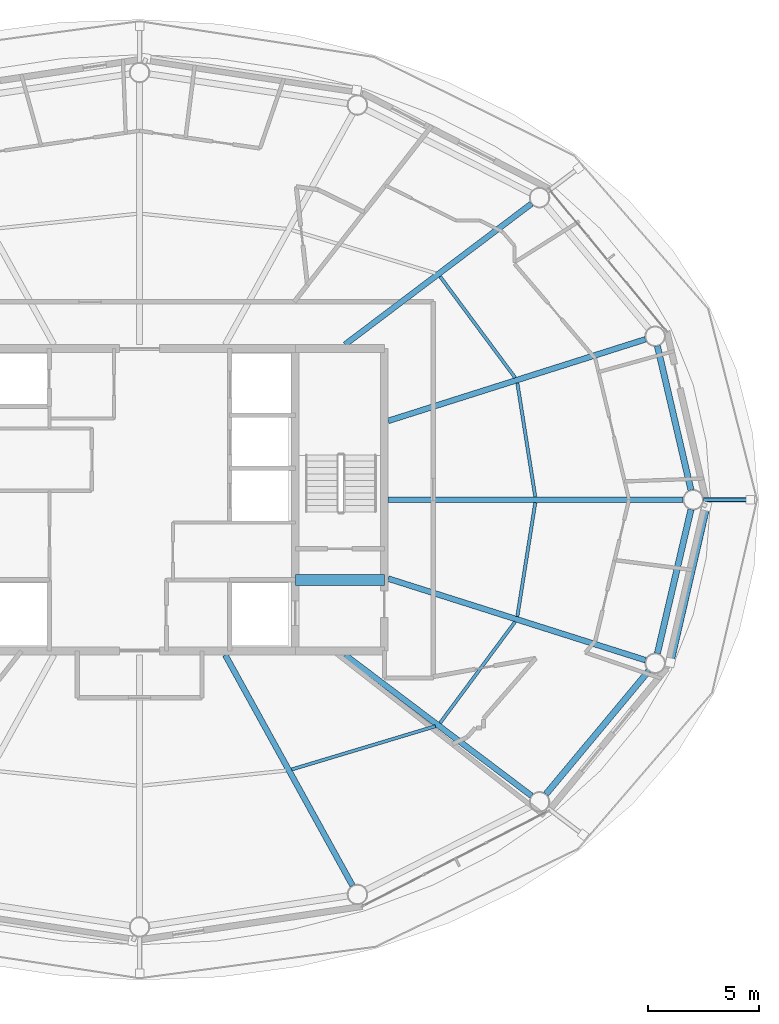
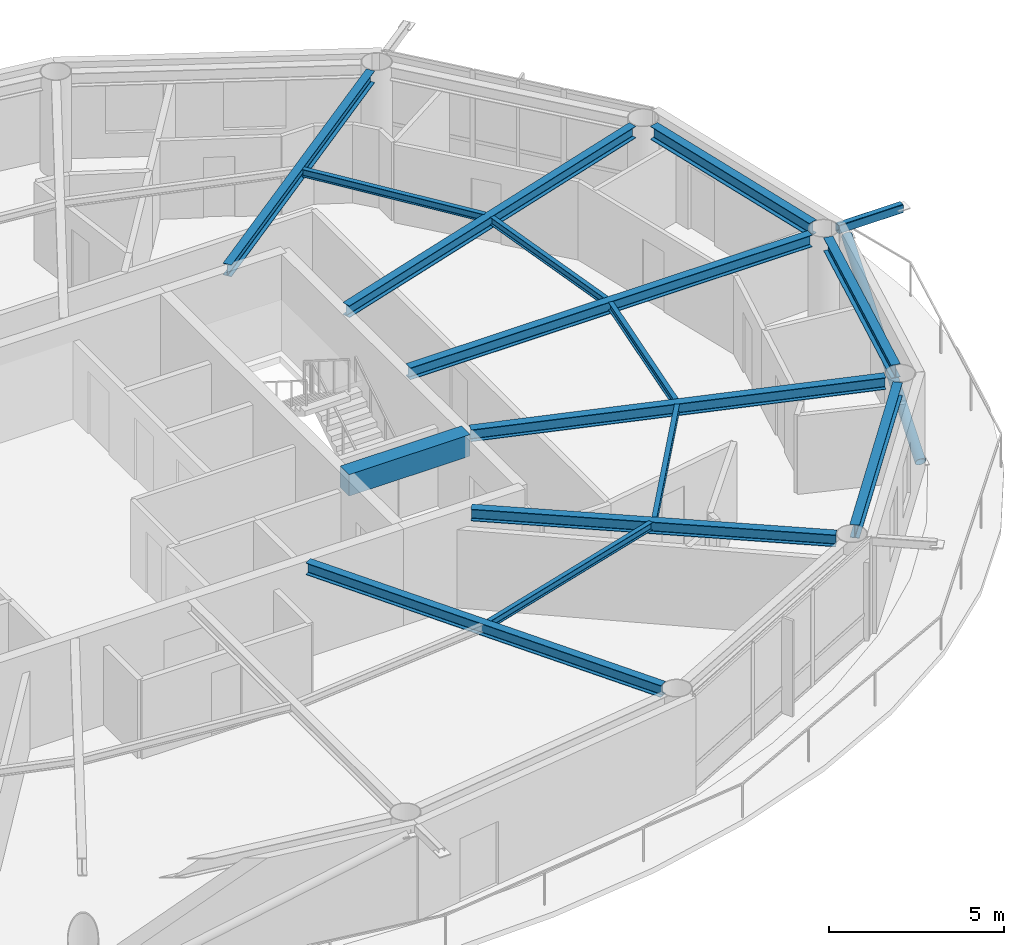
# One storey, part 6 of 22: 15 beams, 2 members.
"""IFC4 building model written with IfcOpenShell, lengths in metres."""

from ifc_helpers import new_model, si_unit, direction, frame, origin, origin_2d, place, context, subcontext, project, spatial, rectangle, hollow_rectangle, hollow_circle, i_section, extrude, material, material_profile, profile_set, type_object, element, save


model = new_model("IFC4")

# Units and contexts
model_context = context("Model", 3, precision=1e-05, world=origin(), true_north=direction((0.0, 1.0)))
body_context = subcontext(model_context, "Body", "Model", "MODEL_VIEW")
ifc_project = project(units=[si_unit("LENGTHUNIT", "METRE"), si_unit("AREAUNIT", "SQUARE_METRE"), si_unit("VOLUMEUNIT", "CUBIC_METRE"), si_unit("PLANEANGLEUNIT", "RADIAN"), si_unit("MASSUNIT", "GRAM", prefix="KILO")], contexts=[model_context])

# Site, building, storey
site_placement = place(None, origin())
site = spatial("IfcSite", under=ifc_project, at=site_placement, CompositionType="ELEMENT")
building_placement = place(site_placement, origin())
building = spatial("IfcBuilding", under=site, at=building_placement, Name="Sarneth Arch Tower", CompositionType="ELEMENT")
storey_placement = place(building_placement, frame((0.0, 0.0, 301.800048828125)))
storey = spatial("IfcBuildingStorey", under=building, at=storey_placement, Name="L78", CompositionType="ELEMENT", Elevation=301.800048828125)

# Beams
ifc_material_1 = material(Name="Steel S355", Category="steel")
ifc_material_profile_1 = material_profile(ifc_material_1, i_section(OverallWidth=0.14794921875, OverallDepth=0.26611328125, WebThickness=0.007568359375, FlangeThickness=0.012939453125, FilletRadius=0.012939453125, at=origin_2d()), Name="W250x44.8")
ifc_profile_set_1 = profile_set([ifc_material_profile_1], Name="Steel S355")
beam_type_1 = type_object("IfcBeamType", Name="BM-JOIST-250", PredefinedType="JOIST", material=ifc_profile_set_1)
beam_1_placement = place(storey_placement, frame((65.783935546875, 42.12841796875, 3.237060546875), z_axis=(-0.155556266572, 0.987827033407, 0.0), x_axis=(-0.987827033407, -0.155556266572, 0.0)))
element("IfcBeam", 1, at=beam_1_placement, inside=storey, type_object=beam_type_1, Name="L78 Secondary floor joist 01", PredefinedType="JOIST", context=body_context, shape_type="SweptSolid", body=[
    extrude(i_section(OverallWidth=0.14794921875, OverallDepth=0.26611328125, WebThickness=0.007568359375, FlangeThickness=0.012939453125, FilletRadius=0.012939453125, at=origin_2d()), origin(), (0.0, 0.0, 1.0), 5.183837890625),
])
beam_2_placement = place(storey_placement, frame((64.880126953125, 47.482177734375, 3.237060546875), z_axis=(-0.595712519616, 0.803197730309, 0.0), x_axis=(-0.803197730309, -0.595712519616, 0.0)))
element("IfcBeam", 2, at=beam_2_placement, inside=storey, type_object=beam_type_1, Name="L78 Secondary floor joist 02", PredefinedType="JOIST", context=body_context, shape_type="SweptSolid", body=[
    extrude(i_section(OverallWidth=0.14794921875, OverallDepth=0.26611328125, WebThickness=0.007568359375, FlangeThickness=0.012939453125, FilletRadius=0.012939453125, at=origin_2d()), origin(), (0.0, 0.0, 1.0), 5.669189453125),
])
beam_3_placement = place(storey_placement, frame((54.836181640625, 29.877685546875, 3.237060546875), z_axis=(0.95760703602, 0.288077705776, 0.0), x_axis=(-0.288077705776, 0.95760703602, 0.0)))
element("IfcBeam", 3, at=beam_3_placement, inside=storey, type_object=beam_type_1, Name="L78 Secondary floor joist 14", PredefinedType="JOIST", context=body_context, shape_type="SweptSolid", body=[
    extrude(i_section(OverallWidth=0.14794921875, OverallDepth=0.26611328125, WebThickness=0.007568359375, FlangeThickness=0.012939453125, FilletRadius=0.012939453125, at=origin_2d()), origin(), (0.0, 0.0, 1.0), 6.7509765625),
])
beam_4_placement = place(storey_placement, frame((61.5029296875, 31.96435546875, 3.237060546875), z_axis=(0.595712519616, 0.803197730309, 0.0), x_axis=(-0.803197730309, 0.595712519616, 0.0)))
element("IfcBeam", 4, at=beam_4_placement, inside=storey, type_object=beam_type_1, Name="L78 Secondary floor joist 15", PredefinedType="JOIST", context=body_context, shape_type="SweptSolid", body=[
    extrude(i_section(OverallWidth=0.14794921875, OverallDepth=0.26611328125, WebThickness=0.007568359375, FlangeThickness=0.012939453125, FilletRadius=0.012939453125, at=origin_2d()), origin(), (0.0, 0.0, 1.0), 5.669189453125),
])
beam_5_placement = place(storey_placement, frame((64.9775390625, 36.750732421875, 3.237060546875), z_axis=(0.155556266572, 0.987827033407, 0.0), x_axis=(-0.987827033407, 0.155556266572, 0.0)))
element("IfcBeam", 5, at=beam_5_placement, inside=storey, type_object=beam_type_1, Name="L78 Secondary floor joist 16", PredefinedType="JOIST", context=body_context, shape_type="SweptSolid", body=[
    extrude(i_section(OverallWidth=0.14794921875, OverallDepth=0.26611328125, WebThickness=0.007568359375, FlangeThickness=0.012939453125, FilletRadius=0.012939453125, at=origin_2d()), origin(), (0.0, 0.0, 1.0), 5.183837890625),
])
ifc_material_2 = material(Name="Concrete C50/60", Category="concrete")
ifc_material_profile_2 = material_profile(ifc_material_2, rectangle(XDim=0.5, YDim=0.75, at=origin_2d()), Name="RC-500x750")
ifc_profile_set_2 = profile_set([ifc_material_profile_2], Name="Concrete C50/60")
beam_type_2 = type_object("IfcBeamType", Name="BM-LINTEL-RC", PredefinedType="LINTEL", material=ifc_profile_set_2)
beam_6_placement = place(storey_placement, frame((55.0, 38.39990234375, 2.994873046875), z_axis=(1.0, 0.0, 0.0), x_axis=(0.0, 1.0, 0.0)))
element("IfcBeam", 6, at=beam_6_placement, inside=storey, type_object=beam_type_2, Name="L78 Core coupling lintel E", PredefinedType="LINTEL", context=body_context, shape_type="SweptSolid", body=[
    extrude(rectangle(XDim=0.5, YDim=0.75, at=origin_2d()), origin(), (0.0, 0.0, 1.0), 4.0),
])
ifc_material_3 = material(Name="Steel S355", Category="steel")
ifc_material_profile_3 = material_profile(ifc_material_3, i_section(OverallWidth=0.260009765625, OverallDepth=0.4150390625, WebThickness=0.010009765625, FlangeThickness=0.016845703125, FilletRadius=0.01611328125, at=origin_2d()), Name="W410x100")
ifc_profile_set_3 = profile_set([ifc_material_profile_3], Name="Steel S355")
beam_type_3 = type_object("IfcBeamType", Name="BM-RAD-410A", PredefinedType="BEAM", material=ifc_profile_set_3)
beam_7_placement = place(storey_placement, frame((59.175048828125, 42.0, 3.162353515625), z_axis=(1.0, 0.0, 0.0), x_axis=(0.0, 1.0, 0.0)))
element("IfcBeam", 7, at=beam_7_placement, inside=storey, type_object=beam_type_3, Name="L78 Radial floor girder 01", PredefinedType="BEAM", context=body_context, shape_type="SweptSolid", body=[
    extrude(i_section(OverallWidth=0.260009765625, OverallDepth=0.4150390625, WebThickness=0.010009765625, FlangeThickness=0.016845703125, FilletRadius=0.01611328125, at=origin_2d()), origin(), (0.0, 0.0, 1.0), 13.258056640625),
])
beam_8_placement = place(storey_placement, frame((59.175048828125, 45.5439453125, 3.162353515625), z_axis=(0.95321762769, 0.302284889237, 0.0), x_axis=(-0.302284889237, 0.95321762769, 0.0)))
element("IfcBeam", 8, at=beam_8_placement, inside=storey, type_object=beam_type_3, Name="L78 Radial floor girder 02", PredefinedType="BEAM", context=body_context, shape_type="SweptSolid", body=[
    extrude(i_section(OverallWidth=0.260009765625, OverallDepth=0.4150390625, WebThickness=0.010009765625, FlangeThickness=0.016845703125, FilletRadius=0.01611328125, at=origin_2d()), origin(), (0.0, 0.0, 1.0), 12.132568359375),
])
beam_9_placement = place(storey_placement, frame((57.23486328125, 48.97509765625, 3.162353515625), z_axis=(0.797981595352, 0.602681817777, 0.0), x_axis=(-0.602681817777, 0.797981595352, 0.0)))
element("IfcBeam", 9, at=beam_9_placement, inside=storey, type_object=beam_type_3, Name="L78 Radial floor girder 03", PredefinedType="BEAM", context=body_context, shape_type="SweptSolid", body=[
    extrude(i_section(OverallWidth=0.260009765625, OverallDepth=0.4150390625, WebThickness=0.010009765625, FlangeThickness=0.016845703125, FilletRadius=0.01611328125, at=origin_2d()), origin(), (0.0, 0.0, 1.0), 10.503173828125),
])
beam_10_placement = place(storey_placement, frame((51.849853515625, 35.02490234375, 3.162353515625), z_axis=(0.483229367873, -0.875493790969, 0.0), x_axis=(0.875493790969, 0.483229367873, 0.0)))
element("IfcBeam", 10, at=beam_10_placement, inside=storey, type_object=beam_type_3, Name="L78 Radial floor girder 14", PredefinedType="BEAM", context=body_context, shape_type="SweptSolid", body=[
    extrude(i_section(OverallWidth=0.260009765625, OverallDepth=0.4150390625, WebThickness=0.010009765625, FlangeThickness=0.016845703125, FilletRadius=0.01611328125, at=origin_2d()), origin(), (0.0, 0.0, 1.0), 11.843994140625),
])
beam_11_placement = place(storey_placement, frame((57.23486328125, 35.02490234375, 3.162353515625), z_axis=(0.797981595352, -0.602681817777, 0.0), x_axis=(0.602681817777, 0.797981595352, 0.0)))
element("IfcBeam", 11, at=beam_11_placement, inside=storey, type_object=beam_type_3, Name="L78 Radial floor girder 15", PredefinedType="BEAM", context=body_context, shape_type="SweptSolid", body=[
    extrude(i_section(OverallWidth=0.260009765625, OverallDepth=0.4150390625, WebThickness=0.010009765625, FlangeThickness=0.016845703125, FilletRadius=0.01611328125, at=origin_2d()), origin(), (0.0, 0.0, 1.0), 10.503173828125),
])
beam_12_placement = place(storey_placement, frame((59.175048828125, 38.4560546875, 3.162353515625), z_axis=(0.95321762769, -0.302284889237, 0.0), x_axis=(0.302284889237, 0.95321762769, 0.0)))
element("IfcBeam", 12, at=beam_12_placement, inside=storey, type_object=beam_type_3, Name="L78 Radial floor girder 16", PredefinedType="BEAM", context=body_context, shape_type="SweptSolid", body=[
    extrude(i_section(OverallWidth=0.260009765625, OverallDepth=0.4150390625, WebThickness=0.010009765625, FlangeThickness=0.016845703125, FilletRadius=0.01611328125, at=origin_2d()), origin(), (0.0, 0.0, 1.0), 12.132568359375),
])
ifc_material_4 = material(Name="Steel S355", Category="steel")
ifc_material_profile_4 = material_profile(ifc_material_4, i_section(OverallWidth=0.280029296875, OverallDepth=0.462890625, WebThickness=0.0107421875, FlangeThickness=0.017333984375, FilletRadius=0.01806640625, at=origin_2d()), Name="W460x113")
ifc_profile_set_4 = profile_set([ifc_material_profile_4], Name="Steel S355")
beam_type_4 = type_object("IfcBeamType", Name="BM-RAD-460A", PredefinedType="BEAM", material=ifc_profile_set_4)
beam_13_placement = place(storey_placement, frame((72.781005859375, 42.438232421875, 3.138427734375), z_axis=(-0.227247037844, 0.973837144389, 0.0), x_axis=(-0.973837144389, -0.227247037844, 0.0)))
element("IfcBeam", 13, at=beam_13_placement, inside=storey, type_object=beam_type_4, Name="L78 Perimeter spandrel beam 01", PredefinedType="BEAM", context=body_context, shape_type="SweptSolid", body=[
    extrude(i_section(OverallWidth=0.280029296875, OverallDepth=0.462890625, WebThickness=0.0107421875, FlangeThickness=0.017333984375, FilletRadius=0.01806640625, at=origin_2d()), origin(), (0.0, 0.0, 1.0), 6.644775390625),
])
beam_14_placement = place(storey_placement, frame((66.263427734375, 28.769287109375, 3.138427734375), z_axis=(0.640390876881, 0.768049168222, 0.0), x_axis=(-0.768049168222, 0.640390876881, 0.0)))
element("IfcBeam", 14, at=beam_14_placement, inside=storey, type_object=beam_type_4, Name="L78 Perimeter spandrel beam 15", PredefinedType="BEAM", context=body_context, shape_type="SweptSolid", body=[
    extrude(i_section(OverallWidth=0.280029296875, OverallDepth=0.462890625, WebThickness=0.0107421875, FlangeThickness=0.017333984375, FilletRadius=0.01806640625, at=origin_2d()), origin(), (0.0, 0.0, 1.0), 7.2099609375),
])
beam_15_placement = place(storey_placement, frame((71.27099609375, 35.0908203125, 3.138427734375), z_axis=(0.227247037844, 0.973837144389, 0.0), x_axis=(-0.973837144389, 0.227247037844, 0.0)))
element("IfcBeam", 15, at=beam_15_placement, inside=storey, type_object=beam_type_4, Name="L78 Perimeter spandrel beam 16", PredefinedType="BEAM", context=body_context, shape_type="SweptSolid", body=[
    extrude(i_section(OverallWidth=0.280029296875, OverallDepth=0.462890625, WebThickness=0.0107421875, FlangeThickness=0.017333984375, FilletRadius=0.01806640625, at=origin_2d()), origin(), (0.0, 0.0, 1.0), 6.644775390625),
])

# Members
ifc_material_5 = material(Name="Steel S355", Category="steel")
ifc_material_profile_5 = material_profile(ifc_material_5, hollow_rectangle(XDim=0.199951171875, YDim=0.300048828125, WallThickness=0.012451171875, InnerFilletRadius=0.018798828125, OuterFilletRadius=0.03125, at=origin_2d()), Name="RHS300x200x12.5")
ifc_profile_set_5 = profile_set([ifc_material_profile_5], Name="Steel S355")
member_type_1 = type_object("IfcMemberType", Name="MEM-CANT-STRUT", PredefinedType="STRUT", material=ifc_profile_set_5)
member_1_placement = place(storey_placement, frame((73.333251953125, 42.0, 3.2099609375), z_axis=(1.0, 0.0, 0.0), x_axis=(0.0, 1.0, 0.0)))
element("IfcMember", 16, at=member_1_placement, inside=storey, type_object=member_type_1, Name="L78 Balcony cantilever bracket 01", PredefinedType="STRUT", context=body_context, shape_type="SweptSolid", body=[
    extrude(hollow_rectangle(XDim=0.199951171875, YDim=0.300048828125, WallThickness=0.012451171875, InnerFilletRadius=0.018798828125, OuterFilletRadius=0.03125, at=origin_2d()), origin(), (0.0, 0.0, 1.0), 2.11767578125),
])
ifc_material_6 = material(Name="Steel S355", Category="steel")
ifc_material_profile_6 = material_profile(ifc_material_6, hollow_circle(Radius=0.162109375, WallThickness=0.012451171875, at=origin_2d()), Name="CHS324x12.5")
ifc_profile_set_6 = profile_set([ifc_material_profile_6], Name="Steel S355")
member_type_2 = type_object("IfcMemberType", Name="MEM-DIAG-BR3", PredefinedType="BRACE", material=ifc_profile_set_6)
member_2_placement = place(storey_placement, frame((71.851806640625, 34.6845703125, 0.02001953125), z_axis=(0.207345906073, 0.896276435764, 0.392041102347), x_axis=(-0.974268900284, 0.225388797281, 0.0)))
element("IfcMember", 17, at=member_2_placement, inside=storey, type_object=member_type_2, Name="L78 Perimeter frame diagonal 16", PredefinedType="BRACE", context=body_context, shape_type="SweptSolid", body=[
    extrude(hollow_circle(Radius=0.162109375, WallThickness=0.012451171875, at=origin_2d()), origin(), (0.0, 0.0, 1.0), 7.8359375),
])

save(model, "model.ifc")
